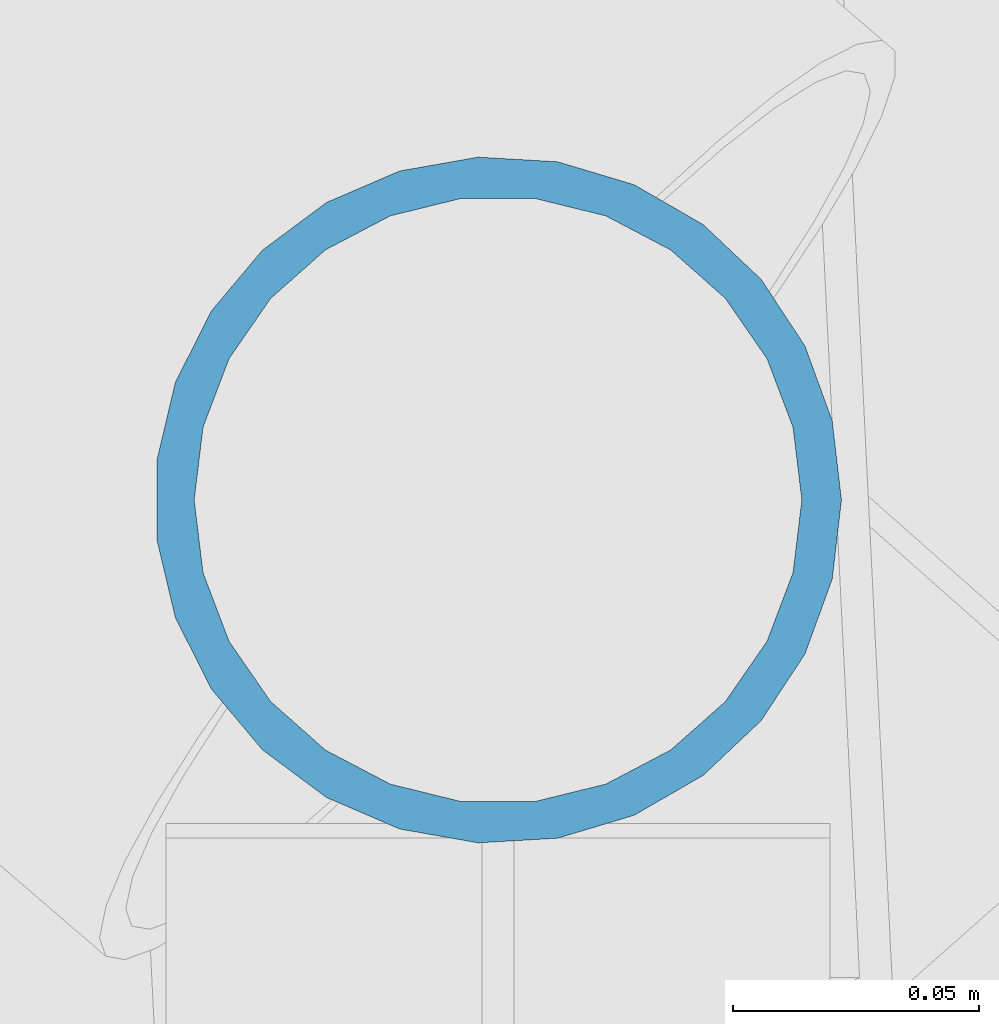
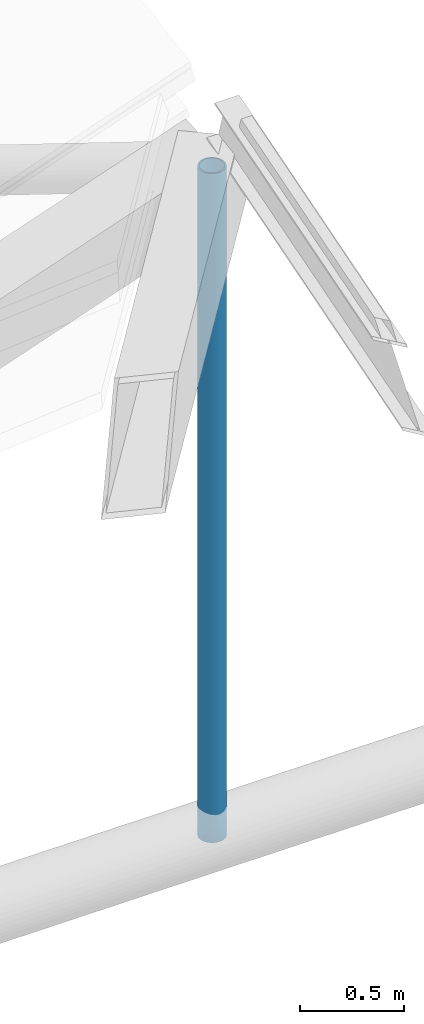
# One storey, part 15 of 76: 1 member.
"""IFC4 building model written with IfcOpenShell, lengths in metres."""

from ifc_helpers import new_model, si_unit, direction, frame, origin, origin_2d, place, context, subcontext, project, spatial, hollow_circle, extrude, material, material_profile, profile_set, type_object, element, save


model = new_model("IFC4")

# Units and contexts
model_context = context("Model", 3, precision=1e-05, world=origin(), true_north=direction((0.0, 1.0)))
body_context = subcontext(model_context, "Body", "Model", "MODEL_VIEW")
ifc_project = project(units=[si_unit("LENGTHUNIT", "METRE"), si_unit("AREAUNIT", "SQUARE_METRE"), si_unit("VOLUMEUNIT", "CUBIC_METRE"), si_unit("PLANEANGLEUNIT", "RADIAN"), si_unit("MASSUNIT", "GRAM", prefix="KILO")], contexts=[model_context])

# Site, building, storey
site_placement = place(None, origin())
site = spatial("IfcSite", under=ifc_project, at=site_placement, CompositionType="ELEMENT")
building_placement = place(site_placement, origin())
building = spatial("IfcBuilding", under=site, at=building_placement, Name="Sava Quay Ferry Terminal", CompositionType="ELEMENT")
storey_placement = place(building_placement, frame((0.0, 0.0, 10.800048828125)))
storey = spatial("IfcBuildingStorey", under=building, at=storey_placement, Name="L02", CompositionType="ELEMENT", Elevation=10.800048828125)

# Member
ifc_material = material(Name="Steel S355", Category="steel")
ifc_material_profile = material_profile(ifc_material, hollow_circle(Radius=0.06982421875, WallThickness=0.008056640625, at=origin_2d()), Name="CHS 139.7 x 8.0")
ifc_profile_set = profile_set([ifc_material_profile], Name="Steel S355")
member_type = type_object("IfcMemberType", Name="Tie hanger CHS 139.7x8", PredefinedType="USERDEFINED", material=ifc_profile_set)
member_placement = place(storey_placement, frame((60.89990234375, 33.60009765625, 1.466064453125), z_axis=(0.0, 0.0, 1.0), x_axis=(1.0, 0.0, 0.0)))
element("IfcMember", 1, at=member_placement, inside=storey, type_object=member_type, Name="Arrivals hall tie hanger R0 V2", ObjectType="TIE HANGER", PredefinedType="USERDEFINED", context=body_context, shape_type="SweptSolid", body=[
    extrude(hollow_circle(Radius=0.06982421875, WallThickness=0.008056640625, at=origin_2d()), origin(), (0.0, 0.0, 1.0), 3.934326171875),
])

save(model, "model.ifc")
